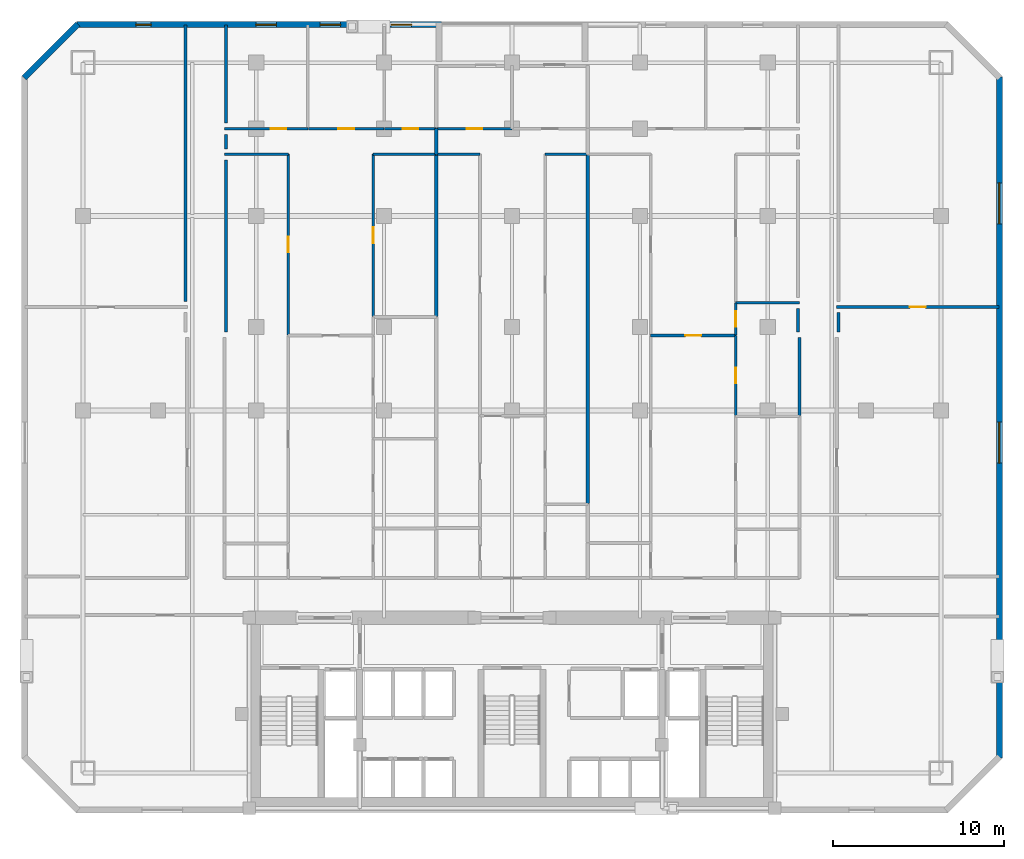
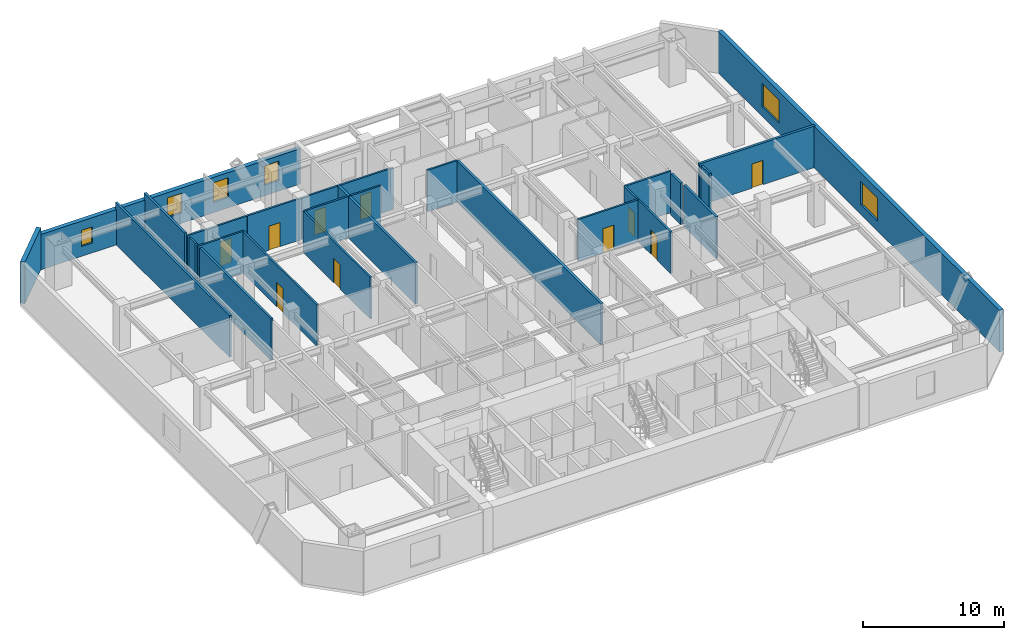
# One storey, part 6 of 9: 28 walls, 10 doors, 6 windows, 16 openings.
"""IFC4 building model written with IfcOpenShell, lengths in metres."""

import ifcopenshell
import ifcopenshell.guid

model = None  # the IFC model being written
_history = None  # IfcOwnerHistory: only IFC2X3 demands one
_inside = {}  # id of a spatial element -> (the spatial element, [elements in it])
_under = {}  # id of a project, library or spatial element -> (it, [spatial elements below it])
_declared = {}  # id of a project -> (the project, [libraries it declares])
_typed = {}  # id of a type object -> (the type object, [elements of that type])
_made_of = {}  # id of a material, layer set ... -> (it, [elements and type objects made of it])


def new_model(schema):
    """Start an empty IFC model of exactly this schema.

    Asked for "IFC4X3", IfcOpenShell would pick the latest addendum, in which some entities
    have other attributes; the version numbers below select the first issue.
    IFC2X3 requires an IfcOwnerHistory on every rooted entity: one is made here for all.
    """
    global model, _history
    if schema == "IFC4X3":
        model = ifcopenshell.file(schema_version=(4, 3, 0, 0))
    else:
        model = ifcopenshell.file(schema=schema)
    _inside.clear()
    _under.clear()
    _declared.clear()
    _typed.clear()
    _made_of.clear()
    _history = None
    if model.schema == "IFC2X3":
        org = make("IfcOrganization", Name="unknown")
        user = make(
            "IfcPersonAndOrganization",
            ThePerson=make("IfcPerson", FamilyName="unknown"),
            TheOrganization=org,
        )
        app = make(
            "IfcApplication",
            ApplicationDeveloper=org,
            Version="unknown",
            ApplicationFullName="unknown",
            ApplicationIdentifier="unknown",
        )
        _history = make(
            "IfcOwnerHistory",
            OwningUser=user,
            OwningApplication=app,
            ChangeAction="ADDED",
            CreationDate=0,
        )
    return model


def make(cls, **values):
    """One entity of the class cls with the attributes given. An attribute that is None is left unset."""
    return model.create_entity(
        cls, **{name: value for name, value in values.items() if value is not None}
    )


def rooted(cls, **values):
    """An entity with a GlobalId (a new one), such as an element, a storey or a relation."""
    return make(cls, GlobalId=ifcopenshell.guid.new(), OwnerHistory=_history, **values)


def si_unit(unit_type, name, prefix=None):
    """IfcSIUnit, for example si_unit("LENGTHUNIT", "METRE", prefix="MILLI")."""
    return make("IfcSIUnit", UnitType=unit_type, Prefix=prefix, Name=name)


def assignment(units):
    """IfcUnitAssignment: the units of a project."""
    return None if units is None else make("IfcUnitAssignment", Units=units)


def point(xyz):
    """IfcCartesianPoint."""
    return None if xyz is None else make("IfcCartesianPoint", Coordinates=xyz)


def direction(xyz):
    """IfcDirection."""
    return None if xyz is None else make("IfcDirection", DirectionRatios=xyz)


def frame(location, z_axis=None, x_axis=None):
    """IfcAxis2Placement3D, a coordinate frame: its origin and axes. An axis left out is left unset."""
    return make(
        "IfcAxis2Placement3D",
        Location=point(location),
        Axis=direction(z_axis),
        RefDirection=direction(x_axis),
    )


def frame_2d(location, x_axis=None):
    """IfcAxis2Placement2D, a coordinate frame in the plane: its origin and x axis."""
    return make(
        "IfcAxis2Placement2D", Location=point(location), RefDirection=direction(x_axis)
    )


def origin():
    """The frame at (0, 0, 0) with its axes left unset."""
    return frame((0.0, 0.0, 0.0))


def place(relative_to, where):
    """IfcLocalPlacement: puts the frame where relative to a parent placement (None: the world)."""
    return make(
        "IfcLocalPlacement", PlacementRelTo=relative_to, RelativePlacement=where
    )


def context(
    kind, dimensions, precision=None, world=None, true_north=None, identifier=None
):
    """IfcGeometricRepresentationContext, for example the 3D "Model" context."""
    return make(
        "IfcGeometricRepresentationContext",
        ContextIdentifier=identifier,
        ContextType=kind,
        CoordinateSpaceDimension=dimensions,
        Precision=precision,
        WorldCoordinateSystem=world,
        TrueNorth=true_north,
    )


def subcontext(parent, identifier, kind, view, scale=None):
    """IfcGeometricRepresentationSubContext, for example "Body" below "Model"."""
    return make(
        "IfcGeometricRepresentationSubContext",
        ContextIdentifier=identifier,
        ContextType=kind,
        ParentContext=parent,
        TargetScale=scale,
        TargetView=view,
    )


def project(units=None, contexts=None):
    """IfcProject with its units and contexts."""
    return rooted(
        "IfcProject",
        Name="project",
        RepresentationContexts=contexts,
        UnitsInContext=assignment(units),
    )


def spatial(cls, under=None, at=None, **own):
    """A site, building, storey or space (cls), placed at a placement, below another one or the project."""
    s = rooted(cls, ObjectPlacement=at, **own)
    if under is not None:
        _under.setdefault(under.id(), (under, []))[1].append(s)
    return s


def profile(cls, at=None, kind="AREA", **sizes):
    """A parametric profile (cls). Its sizes go by their IFC names, for example OverallWidth=200.0."""
    return make(cls, ProfileType=kind, Position=at, **sizes)


def rectangle(**sizes):
    """IfcRectangleProfileDef."""
    return profile("IfcRectangleProfileDef", **sizes)


def extrude(swept, where, along, depth):
    """IfcExtrudedAreaSolid: the profile swept, set in the frame where, extruded along a direction by depth."""
    return make(
        "IfcExtrudedAreaSolid",
        SweptArea=swept,
        Position=where,
        ExtrudedDirection=direction(along),
        Depth=depth,
    )


def shape(context_of_items, identifier, shape_type, items):
    """IfcShapeRepresentation: the items that make up one representation, for example the "Body"."""
    return make(
        "IfcShapeRepresentation",
        ContextOfItems=context_of_items,
        RepresentationIdentifier=identifier,
        RepresentationType=shape_type,
        Items=items,
    )


def material(Name=None, Category=None):
    """IfcMaterial."""
    return make("IfcMaterial", Name=Name, Category=Category)


def layer(
    of_material, thickness, ventilated=None, Name=None, Category=None, Priority=None
):
    """IfcMaterialLayer: one layer of a wall or slab, of a material (None: an air gap)."""
    return make(
        "IfcMaterialLayer",
        Material=of_material,
        LayerThickness=thickness,
        IsVentilated=ventilated,
        Name=Name,
        Category=Category,
        Priority=Priority,
    )


def layer_set(layers, Name=None):
    """IfcMaterialLayerSet."""
    return make("IfcMaterialLayerSet", MaterialLayers=layers, LayerSetName=Name)


def made_of(thing, what):
    """Note that an element or type object is made of a material, layer set ...; save() writes the relation."""
    if what is not None:
        _made_of.setdefault(what.id(), (what, []))[1].append(thing)
    return thing


def type_object(cls, material=None, **own):
    """A type object (cls), such as IfcWallType, which elements share."""
    return made_of(rooted(cls, **own), material)


def element(
    cls,
    number,
    at=None,
    inside=None,
    cuts=None,
    type_object=None,
    material=None,
    context=None,
    identifier="Body",
    shape_type=None,
    held_by="IfcProductDefinitionShape",
    body=None,
    shapes=None,
    **own,
):
    """One element of the class cls, such as IfcWall. Its Tag is "e" and its number.

    at: its placement. inside: the storey or other place that contains it. cuts: it is an
    opening in that element (IfcRelVoidsElement). A single representation is given by context,
    identifier, shape_type and body (its items); several are given by shapes. held_by: the class
    of the entity that holds the representations. save() writes the other relations.
    """
    e = rooted(cls, Tag="e%d" % number, ObjectPlacement=at, **own)
    if body is not None:
        shapes = [shape(context, identifier, shape_type, body)]
    if shapes is not None:
        e.Representation = make(held_by, Representations=shapes)
    if inside is not None:
        _inside.setdefault(inside.id(), (inside, []))[1].append(e)
    if cuts is not None:
        rooted(
            "IfcRelVoidsElement", RelatingBuildingElement=cuts, RelatedOpeningElement=e
        )
    if type_object is not None:
        _typed.setdefault(type_object.id(), (type_object, []))[1].append(e)
    return made_of(e, material)


def fill(opening, filler):
    """IfcRelFillsElement: the door or window that sits in an opening."""
    return rooted(
        "IfcRelFillsElement",
        RelatingOpeningElement=opening,
        RelatedBuildingElement=filler,
    )


def aggregate(whole, parts):
    """IfcRelAggregates: a whole, such as a stair, and the parts it consists of."""
    return rooted("IfcRelAggregates", RelatingObject=whole, RelatedObjects=parts)


def save(model, path):
    """Write the relations noted so far, then the file.

    IfcRelAggregates (storeys below a building ...), IfcRelContainedInSpatialStructure (elements
    in a storey), IfcRelDefinesByType, IfcRelAssociatesMaterial and IfcRelDeclares: one each for
    every whole, place, type object, material and project.
    """
    for whole, parts in _under.values():
        aggregate(whole, parts)
    for where, things in _inside.values():
        rooted(
            "IfcRelContainedInSpatialStructure",
            RelatedElements=things,
            RelatingStructure=where,
        )
    for kind, things in _typed.values():
        rooted("IfcRelDefinesByType", RelatedObjects=things, RelatingType=kind)
    for what, things in _made_of.values():
        rooted("IfcRelAssociatesMaterial", RelatedObjects=things, RelatingMaterial=what)
    for by, libraries in _declared.values():
        rooted("IfcRelDeclares", RelatingContext=by, RelatedDefinitions=libraries)
    model.write(path)


model = new_model("IFC4")

# Units and contexts
model_context = context("Model", 3, precision=1e-05, world=origin(), true_north=direction((0.0, 1.0)))
body_context = subcontext(model_context, "Body", "Model", "MODEL_VIEW")
ifc_project = project(units=[si_unit("LENGTHUNIT", "METRE"), si_unit("AREAUNIT", "SQUARE_METRE"), si_unit("VOLUMEUNIT", "CUBIC_METRE"), si_unit("PLANEANGLEUNIT", "RADIAN"), si_unit("MASSUNIT", "GRAM", prefix="KILO")], contexts=[model_context])

# Site, building, storey
site_placement = place(None, origin())
site = spatial("IfcSite", under=ifc_project, at=site_placement, CompositionType="ELEMENT")
building_placement = place(site_placement, origin())
building = spatial("IfcBuilding", under=site, at=building_placement, Name="Ventersveld Concourse Tower", CompositionType="ELEMENT")
storey_placement = place(building_placement, frame((0.0, 0.0, 45.199951171875)))
storey = spatial("IfcBuildingStorey", under=building, at=storey_placement, Name="L10", CompositionType="ELEMENT", Elevation=45.199951171875)

# Walls
ifc_material_1 = material(Name="Fire-rated autoclaved aerated masonry blockwork", Category="masonry")
ifc_layer_1 = layer(ifc_material_1, 0.179931640625)
ifc_layer_set_1 = layer_set([ifc_layer_1], Name="Fire-rated autoclaved aerated masonry blockwork")
wall_type_1 = type_object("IfcWallType", Name="WL-CORR-180", PredefinedType="PARTITIONING", material=ifc_layer_set_1)
wall_1_placement = place(storey_placement, frame((45.610107421875, 23.310302734375, 0.0), z_axis=(0.0, 0.0, 1.0), x_axis=(0.0, 1.0, 0.0)))
element("IfcWall", 1, at=wall_1_placement, inside=storey, type_object=wall_type_1, Name="L10 Interior Partition SP-L10-COR-SP-L10-10CE-DENS", PredefinedType="PARTITIONING", context=body_context, shape_type="SweptSolid", body=[
    extrude(rectangle(XDim=4.584716796875, YDim=0.179931640625, at=frame_2d((2.29248046875, 0.0))), origin(), (0.0, 0.0, 1.0), 3.60009765625),
])
wall_2_placement = place(storey_placement, frame((9.6201171875, 46.18994140625, 0.0), z_axis=(0.0, 0.0, 1.0), x_axis=(0.0, -1.0, 0.0)))
element("IfcWall", 2, at=wall_2_placement, inside=storey, type_object=wall_type_1, Name="L10 Room Enclosure Wall SP-L10-NWLNG2", PredefinedType="PARTITIONING", context=body_context, shape_type="SweptSolid", body=[
    extrude(rectangle(XDim=16.19482421875, YDim=0.179931640625, at=frame_2d((8.097412109375, 0.0))), origin(), (0.0, 0.0, 1.0), 3.60009765625),
])
wall_3_placement = place(storey_placement, frame((47.8798828125, 28.2099609375, 0.0), z_axis=(0.0, 0.0, 1.0), x_axis=(0.0, 1.0, 0.0)))
element("IfcWall", 3, at=wall_3_placement, inside=storey, type_object=wall_type_1, Name="L10 Room Enclosure Wall SP-L10-NELNG1", PredefinedType="PARTITIONING", context=body_context, shape_type="SweptSolid", body=[
    extrude(rectangle(XDim=1.135009765625, YDim=0.179931640625, at=frame_2d((0.5673828125, 0.0))), origin(), (0.0, 0.0, 1.0), 3.60009765625),
])
wall_4_placement = place(storey_placement, frame((11.97998046875, 38.945068359375, 0.0), z_axis=(0.0, 0.0, 1.0), x_axis=(0.0, 1.0, 0.0)))
element("IfcWall", 4, at=wall_4_placement, inside=storey, type_object=wall_type_1, Name="L10 Room Enclosure Wall SP-L10-10CW-LIV", PredefinedType="PARTITIONING", context=body_context, shape_type="SweptSolid", body=[
    extrude(rectangle(XDim=0.849853515625, YDim=0.179931640625, at=frame_2d((0.4248046875, 0.0))), origin(), (0.0, 0.0, 1.0), 3.60009765625),
])
wall_5_placement = place(storey_placement, frame((11.97998046875, 28.2099609375, 0.0), z_axis=(0.0, 0.0, 1.0), x_axis=(0.0, 1.0, 0.0)))
element("IfcWall", 5, at=wall_5_placement, inside=storey, type_object=wall_type_1, Name="L10 Room Enclosure Wall SP-L10-10CW-OFFL0", PredefinedType="PARTITIONING", context=body_context, shape_type="SweptSolid", body=[
    extrude(rectangle(XDim=10.0849609375, YDim=0.179931640625, at=frame_2d((5.04248046875, 0.0))), origin(), (0.0, 0.0, 1.0), 3.60009765625),
])
wall_6_placement = place(storey_placement, frame((11.97998046875, 40.445068359375, 0.0), z_axis=(0.0, 0.0, 1.0), x_axis=(0.0, 1.0, 0.0)))
element("IfcWall", 6, at=wall_6_placement, inside=storey, type_object=wall_type_1, Name="L10 Room Enclosure Wall SP-L10-10CW-BR1", PredefinedType="PARTITIONING", context=body_context, shape_type="SweptSolid", body=[
    extrude(rectangle(XDim=5.744873046875, YDim=0.179931640625, at=frame_2d((2.87255859375, 0.0))), origin(), (0.0, 0.0, 1.0), 3.60009765625),
])
wall_7_placement = place(storey_placement, frame((45.52001953125, 29.583251953125, 0.0), z_axis=(0.0, 0.0, 1.0), x_axis=(0.0, -1.0, 0.0)))
element("IfcWall", 7, at=wall_7_placement, inside=storey, type_object=wall_type_1, Name="L10 Room Enclosure Wall SP-L10-10CE-DENS", PredefinedType="PARTITIONING", context=body_context, shape_type="SweptSolid", body=[
    extrude(rectangle(XDim=1.373291015625, YDim=0.179931640625, at=frame_2d((0.6865234375, 0.0))), origin(), (0.0, 0.0, 1.0), 3.60009765625),
])

# Wall, opening, door
ifc_layer_2 = layer(ifc_material_1, 0.199951171875)
ifc_layer_set_2 = layer_set([ifc_layer_2], Name="Fire-rated autoclaved aerated masonry blockwork")
wall_type_2 = type_object("IfcWallType", Name="WL-DEMISE-200", PredefinedType="PARTITIONING", material=ifc_layer_set_2)
wall_8_placement = place(storey_placement, frame((47.784912109375, 29.669921875, 0.0), z_axis=(0.0, 0.0, 1.0), x_axis=(1.0, 0.0, 0.0)))
wall_8 = element("IfcWall", 8, at=wall_8_placement, inside=storey, type_object=wall_type_2, Name="L10 Interior Partition SP-L10-NELNG1-SP-L10-NELNG2", PredefinedType="PARTITIONING", context=body_context, shape_type="SweptSolid", body=[
    extrude(rectangle(XDim=9.505126953125, YDim=0.199951171875, at=frame_2d((4.75244140625, 0.0))), origin(), (0.0, 0.0, 1.0), 3.60009765625),
])
opening_1_placement = place(wall_8_placement, frame((4.29248046875, 0.0, 0.0)))
opening_1 = element("IfcOpeningElement", 9, at=opening_1_placement, cuts=wall_8, Name="Opening ID1", PredefinedType="OPENING", context=body_context, shape_type="SweptSolid", body=[
    extrude(rectangle(XDim=0.919921875, YDim=2.10009765625, at=frame_2d((0.4599609375, 1.050048828125))), frame((0.0, 0.10986328125, 0.0), z_axis=(0.0, -1.0, 0.0), x_axis=(1.0, 0.0, 0.0)), (0.0, 0.0, 1.0), 0.219970703125),
])
ifc_material_2 = material(Name="Solid-core hardwood veneer timber", Category="wood")
door_type = type_object("IfcDoorType", Name="DR-ROOM-092", OperationType="NOTDEFINED", PredefinedType="DOOR", material=ifc_material_2)
door_1_placement = place(opening_1_placement, origin())
door_1 = element("IfcDoor", 10, at=door_1_placement, inside=storey, type_object=door_type, Name="L10 Interior Door SP-L10-NELNG1 to SP-L10-NELNG2 (D-L10-0379)", OperationType="SINGLE_SWING_LEFT", OverallHeight=2.10009765625, OverallWidth=0.919921875, PredefinedType="DOOR", context=body_context, shape_type="SweptSolid", body=[
    extrude(rectangle(XDim=0.919921875, YDim=2.10009765625, at=frame_2d((0.4599609375, 1.050048828125))), frame((0.0, 0.02490234375, 0.0), z_axis=(0.0, -1.0, 0.0), x_axis=(1.0, 0.0, 0.0)), (0.0, 0.0, 1.0), 0.050048828125),
])
fill(opening_1, door_1)

# Walls
wall_9_placement = place(storey_placement, frame((24.31005859375, 38.614990234375, 0.0), z_axis=(0.0, 0.0, 1.0), x_axis=(0.0, 1.0, 0.0)))
element("IfcWall", 11, at=wall_9_placement, inside=storey, type_object=wall_type_2, Name="L10 Interior Partition SP-L10-10CW-LIV-SP-L10-10CM-LIV", PredefinedType="PARTITIONING", context=body_context, shape_type="SweptSolid", body=[
    extrude(rectangle(XDim=1.510009765625, YDim=0.199951171875, at=frame_2d((0.7548828125, 0.0))), origin(), (0.0, 0.0, 1.0), 3.60009765625),
])
wall_10_placement = place(storey_placement, frame((24.31005859375, 29.118408203125, 0.0), z_axis=(0.0, 0.0, 1.0), x_axis=(0.0, 1.0, 0.0)))
element("IfcWall", 12, at=wall_10_placement, inside=storey, type_object=wall_type_2, Name="L10 Interior Partition SP-L10-10CW-DENS2-SP-L10-10CM-MEDL0", PredefinedType="PARTITIONING", context=body_context, shape_type="SweptSolid", body=[
    extrude(rectangle(XDim=9.466552734375, YDim=0.199951171875, at=frame_2d((4.7333984375, 0.0))), origin(), (0.0, 0.0, 1.0), 3.60009765625),
])
wall_11_placement = place(storey_placement, frame((33.18994140625, 18.1357421875, 0.0), z_axis=(0.0, 0.0, 1.0), x_axis=(0.0, 1.0, 0.0)))
element("IfcWall", 13, at=wall_11_placement, inside=storey, type_object=wall_type_2, Name="L10 Interior Partition SP-L10-10CE-OFFL0-SP-L10-10CM-DENR", PredefinedType="PARTITIONING", context=body_context, shape_type="SweptSolid", body=[
    extrude(rectangle(XDim=20.44921875, YDim=0.199951171875, at=frame_2d((10.224609375, 0.0))), origin(), (0.0, 0.0, 1.0), 3.60009765625),
])

# Wall, opening, door
ifc_material_3 = material(Name="Autoclaved aerated masonry blockwork", Category="masonry")
ifc_layer_3 = layer(ifc_material_3, 0.14990234375)
ifc_layer_set_3 = layer_set([ifc_layer_3], Name="Autoclaved aerated masonry blockwork")
wall_type_3 = type_object("IfcWallType", Name="WL-INT-150", PredefinedType="PARTITIONING", material=ifc_layer_set_3)
wall_12_placement = place(storey_placement, frame((15.635498046875, 28.0341796875, 0.0), z_axis=(0.0, 0.0, 1.0), x_axis=(0.0, 1.0, 0.0)))
wall_12 = element("IfcWall", 14, at=wall_12_placement, inside=storey, type_object=wall_type_3, Name="L10 Interior Partition SP-L10-10CW-LIV-SP-L10-10CW-OFFL0", PredefinedType="PARTITIONING", context=body_context, shape_type="SweptSolid", body=[
    extrude(rectangle(XDim=10.5908203125, YDim=0.14990234375, at=frame_2d((5.29541015625, 0.0))), origin(), (0.0, 0.0, 1.0), 3.60009765625),
])
opening_2_placement = place(wall_12_placement, frame((4.835205078125, 0.0, 0.0)))
opening_2 = element("IfcOpeningElement", 15, at=opening_2_placement, cuts=wall_12, Name="Opening ID1", PredefinedType="OPENING", context=body_context, shape_type="SweptSolid", body=[
    extrude(rectangle(XDim=0.919921875, YDim=2.10009765625, at=frame_2d((0.4599609375, 1.050048828125))), frame((0.0, 0.0849609375, 0.0), z_axis=(0.0, -1.0, 0.0), x_axis=(1.0, 0.0, 0.0)), (0.0, 0.0, 1.0), 0.169921875),
])
door_2_placement = place(opening_2_placement, origin())
door_2 = element("IfcDoor", 16, at=door_2_placement, inside=storey, type_object=door_type, Name="L10 Interior Door SP-L10-10CW-LIV to SP-L10-10CW-OFFL0 (D-L10-0386)", OperationType="SINGLE_SWING_RIGHT", OverallHeight=2.10009765625, OverallWidth=0.919921875, PredefinedType="DOOR", context=body_context, shape_type="SweptSolid", body=[
    extrude(rectangle(XDim=0.919921875, YDim=2.10009765625, at=frame_2d((0.4599609375, 1.050048828125))), frame((0.0, 0.02490234375, 0.0), z_axis=(0.0, -1.0, 0.0), x_axis=(1.0, 0.0, 0.0)), (0.0, 0.0, 1.0), 0.050048828125),
])
fill(opening_2, door_2)

# Wall
wall_13_placement = place(storey_placement, frame((11.885009765625, 38.6201171875, 0.0), z_axis=(0.0, 0.0, 1.0), x_axis=(1.0, 0.0, 0.0)))
element("IfcWall", 17, at=wall_13_placement, inside=storey, type_object=wall_type_3, Name="L10 Interior Partition SP-L10-10CW-LIV-SP-L10-10CW-OFFL0", PredefinedType="PARTITIONING", context=body_context, shape_type="SweptSolid", body=[
    extrude(rectangle(XDim=3.75537109375, YDim=0.14990234375, at=frame_2d((1.877685546875, 0.0))), origin(), (0.0, 0.0, 1.0), 3.60009765625),
])

# Wall, opening, door
wall_14_placement = place(storey_placement, frame((20.615478515625, 29.118408203125, 0.0), z_axis=(0.0, 0.0, 1.0), x_axis=(0.0, 1.0, 0.0)))
wall_14 = element("IfcWall", 18, at=wall_14_placement, inside=storey, type_object=wall_type_3, Name="L10 Interior Partition SP-L10-10CW-LIV-SP-L10-10CW-DENS2", PredefinedType="PARTITIONING", context=body_context, shape_type="SweptSolid", body=[
    extrude(rectangle(XDim=9.506591796875, YDim=0.14990234375, at=frame_2d((4.75341796875, 0.0))), origin(), (0.0, 0.0, 1.0), 3.60009765625),
])
opening_3_placement = place(wall_14_placement, frame((4.293212890625, 0.0, 0.0)))
opening_3 = element("IfcOpeningElement", 19, at=opening_3_placement, cuts=wall_14, Name="Opening ID1", PredefinedType="OPENING", context=body_context, shape_type="SweptSolid", body=[
    extrude(rectangle(XDim=0.919921875, YDim=2.10009765625, at=frame_2d((0.4599609375, 1.050048828125))), frame((0.0, 0.0849609375, 0.0), z_axis=(0.0, -1.0, 0.0), x_axis=(1.0, 0.0, 0.0)), (0.0, 0.0, 1.0), 0.169921875),
])
door_3_placement = place(opening_3_placement, origin())
door_3 = element("IfcDoor", 20, at=door_3_placement, inside=storey, type_object=door_type, Name="L10 Interior Door SP-L10-10CW-LIV to SP-L10-10CW-DENS2 (D-L10-0387)", OperationType="SINGLE_SWING_LEFT", OverallHeight=2.10009765625, OverallWidth=0.919921875, PredefinedType="DOOR", context=body_context, shape_type="SweptSolid", body=[
    extrude(rectangle(XDim=0.919921875, YDim=2.10009765625, at=frame_2d((0.4599609375, 1.050048828125))), frame((0.0, 0.02490234375, 0.0), z_axis=(0.0, -1.0, 0.0), x_axis=(1.0, 0.0, 0.0)), (0.0, 0.0, 1.0), 0.050048828125),
])
fill(opening_3, door_3)

# Wall
wall_15_placement = place(storey_placement, frame((20.610595703125, 38.6201171875, 0.0), z_axis=(0.0, 0.0, 1.0), x_axis=(1.0, 0.0, 0.0)))
element("IfcWall", 21, at=wall_15_placement, inside=storey, type_object=wall_type_3, Name="L10 Interior Partition SP-L10-10CW-LIV-SP-L10-10CW-DENS2", PredefinedType="PARTITIONING", context=body_context, shape_type="SweptSolid", body=[
    extrude(rectangle(XDim=3.704345703125, YDim=0.14990234375, at=frame_2d((1.85205078125, 0.0))), origin(), (0.0, 0.0, 1.0), 3.60009765625),
])

# Wall, opening, door
wall_16_placement = place(storey_placement, frame((11.885009765625, 40.1201171875, 0.0), z_axis=(0.0, 0.0, 1.0), x_axis=(1.0, 0.0, 0.0)))
wall_16 = element("IfcWall", 22, at=wall_16_placement, inside=storey, type_object=wall_type_3, Name="L10 Interior Partition SP-L10-10CW-LIV-SP-L10-10CW-BR1", PredefinedType="PARTITIONING", context=body_context, shape_type="SweptSolid", body=[
    extrude(rectangle(XDim=4.892578125, YDim=0.14990234375, at=frame_2d((2.4462890625, 0.0))), origin(), (0.0, 0.0, 1.0), 3.60009765625),
])
opening_4_placement = place(wall_16_placement, frame((2.72021484375, 0.0, 0.0)))
opening_4 = element("IfcOpeningElement", 23, at=opening_4_placement, cuts=wall_16, Name="Opening ID1", PredefinedType="OPENING", context=body_context, shape_type="SweptSolid", body=[
    extrude(rectangle(XDim=0.919921875, YDim=2.10009765625, at=frame_2d((0.4599609375, 1.050048828125))), frame((0.0, 0.0849609375, 0.0), z_axis=(0.0, -1.0, 0.0), x_axis=(1.0, 0.0, 0.0)), (0.0, 0.0, 1.0), 0.169921875),
])
door_4_placement = place(opening_4_placement, origin())
door_4 = element("IfcDoor", 24, at=door_4_placement, inside=storey, type_object=door_type, Name="L10 Interior Door SP-L10-10CW-LIV to SP-L10-10CW-BR1 (D-L10-0388)", OperationType="SINGLE_SWING_RIGHT", OverallHeight=2.10009765625, OverallWidth=0.919921875, PredefinedType="DOOR", context=body_context, shape_type="SweptSolid", body=[
    extrude(rectangle(XDim=0.919921875, YDim=2.10009765625, at=frame_2d((0.4599609375, 1.050048828125))), frame((0.0, 0.02490234375, 0.0), z_axis=(0.0, -1.0, 0.0), x_axis=(1.0, 0.0, 0.0)), (0.0, 0.0, 1.0), 0.050048828125),
])
fill(opening_4, door_4)

wall_17_placement = place(storey_placement, frame((16.8076171875, 40.1201171875, 0.0), z_axis=(0.0, 0.0, 1.0), x_axis=(1.0, 0.0, 0.0)))
wall_17 = element("IfcWall", 25, at=wall_17_placement, inside=storey, type_object=wall_type_3, Name="L10 Interior Partition SP-L10-10CW-LIV-SP-L10-10CW-BR2", PredefinedType="PARTITIONING", context=body_context, shape_type="SweptSolid", body=[
    extrude(rectangle(XDim=4.447265625, YDim=0.14990234375, at=frame_2d((2.2236328125, 0.0))), origin(), (0.0, 0.0, 1.0), 3.60009765625),
])
opening_5_placement = place(wall_17_placement, frame((1.763671875, 0.0, 0.0)))
opening_5 = element("IfcOpeningElement", 26, at=opening_5_placement, cuts=wall_17, Name="Opening ID1", PredefinedType="OPENING", context=body_context, shape_type="SweptSolid", body=[
    extrude(rectangle(XDim=0.919921875, YDim=2.10009765625, at=frame_2d((0.4599609375, 1.050048828125))), frame((0.0, 0.0849609375, 0.0), z_axis=(0.0, -1.0, 0.0), x_axis=(1.0, 0.0, 0.0)), (0.0, 0.0, 1.0), 0.169921875),
])
door_5_placement = place(opening_5_placement, origin())
door_5 = element("IfcDoor", 27, at=door_5_placement, inside=storey, type_object=door_type, Name="L10 Interior Door SP-L10-10CW-LIV to SP-L10-10CW-BR2 (D-L10-0389)", OperationType="SINGLE_SWING_LEFT", OverallHeight=2.10009765625, OverallWidth=0.919921875, PredefinedType="DOOR", context=body_context, shape_type="SweptSolid", body=[
    extrude(rectangle(XDim=0.919921875, YDim=2.10009765625, at=frame_2d((0.4599609375, 1.050048828125))), frame((0.0, 0.02490234375, 0.0), z_axis=(0.0, -1.0, 0.0), x_axis=(1.0, 0.0, 0.0)), (0.0, 0.0, 1.0), 0.050048828125),
])
fill(opening_5, door_5)

wall_18_placement = place(storey_placement, frame((21.284912109375, 40.1201171875, 0.0), z_axis=(0.0, 0.0, 1.0), x_axis=(1.0, 0.0, 0.0)))
wall_18 = element("IfcWall", 28, at=wall_18_placement, inside=storey, type_object=wall_type_3, Name="L10 Interior Partition SP-L10-10CW-LIV-SP-L10-10CW-BR3", PredefinedType="PARTITIONING", context=body_context, shape_type="SweptSolid", body=[
    extrude(rectangle(XDim=3.030029296875, YDim=0.14990234375, at=frame_2d((1.51513671875, 0.0))), origin(), (0.0, 0.0, 1.0), 3.60009765625),
])
opening_6_placement = place(wall_18_placement, frame((1.054931640625, 0.0, 0.0)))
opening_6 = element("IfcOpeningElement", 29, at=opening_6_placement, cuts=wall_18, Name="Opening ID1", PredefinedType="OPENING", context=body_context, shape_type="SweptSolid", body=[
    extrude(rectangle(XDim=0.919921875, YDim=2.10009765625, at=frame_2d((0.4599609375, 1.050048828125))), frame((0.0, 0.0849609375, 0.0), z_axis=(0.0, -1.0, 0.0), x_axis=(1.0, 0.0, 0.0)), (0.0, 0.0, 1.0), 0.169921875),
])
door_6_placement = place(opening_6_placement, origin())
door_6 = element("IfcDoor", 30, at=door_6_placement, inside=storey, type_object=door_type, Name="L10 Interior Door SP-L10-10CW-LIV to SP-L10-10CW-BR3 (D-L10-0390)", OperationType="SINGLE_SWING_RIGHT", OverallHeight=2.10009765625, OverallWidth=0.919921875, PredefinedType="DOOR", context=body_context, shape_type="SweptSolid", body=[
    extrude(rectangle(XDim=0.919921875, YDim=2.10009765625, at=frame_2d((0.4599609375, 1.050048828125))), frame((0.0, 0.02490234375, 0.0), z_axis=(0.0, -1.0, 0.0), x_axis=(1.0, 0.0, 0.0)), (0.0, 0.0, 1.0), 0.050048828125),
])
fill(opening_6, door_6)

wall_19_placement = place(storey_placement, frame((36.87939453125, 27.999267578125, 0.0), z_axis=(0.0, 0.0, 1.0), x_axis=(1.0, 0.0, 0.0)))
wall_19 = element("IfcWall", 31, at=wall_19_placement, inside=storey, type_object=wall_type_3, Name="L10 Interior Partition SP-L10-10CE-FOY-SP-L10-10CE-LIV", PredefinedType="PARTITIONING", context=body_context, shape_type="SweptSolid", body=[
    extrude(rectangle(XDim=4.989990234375, YDim=0.14990234375, at=frame_2d((2.4951171875, 0.0))), origin(), (0.0, 0.0, 1.0), 3.60009765625),
])
opening_7_placement = place(wall_19_placement, frame((2.034912109375, 0.0, 0.0)))
opening_7 = element("IfcOpeningElement", 32, at=opening_7_placement, cuts=wall_19, Name="Opening ID1", PredefinedType="OPENING", context=body_context, shape_type="SweptSolid", body=[
    extrude(rectangle(XDim=0.919921875, YDim=2.10009765625, at=frame_2d((0.4599609375, 1.050048828125))), frame((0.0, 0.0849609375, 0.0), z_axis=(0.0, -1.0, 0.0), x_axis=(1.0, 0.0, 0.0)), (0.0, 0.0, 1.0), 0.169921875),
])
door_7_placement = place(opening_7_placement, origin())
door_7 = element("IfcDoor", 33, at=door_7_placement, inside=storey, type_object=door_type, Name="L10 Interior Door SP-L10-10CE-FOY to SP-L10-10CE-LIV (D-L10-0391)", OperationType="SINGLE_SWING_LEFT", OverallHeight=2.10009765625, OverallWidth=0.919921875, PredefinedType="DOOR", context=body_context, shape_type="SweptSolid", body=[
    extrude(rectangle(XDim=0.919921875, YDim=2.10009765625, at=frame_2d((0.4599609375, 1.050048828125))), frame((0.0, 0.02490234375, 0.0), z_axis=(0.0, -1.0, 0.0), x_axis=(1.0, 0.0, 0.0)), (0.0, 0.0, 1.0), 0.050048828125),
])
fill(opening_7, door_7)

wall_20_placement = place(storey_placement, frame((41.864501953125, 23.310302734375, 0.0), z_axis=(0.0, 0.0, 1.0), x_axis=(0.0, 1.0, 0.0)))
wall_20 = element("IfcWall", 34, at=wall_20_placement, inside=storey, type_object=wall_type_3, Name="L10 Interior Partition SP-L10-10CE-FOY-SP-L10-10CE-DENS", PredefinedType="PARTITIONING", context=body_context, shape_type="SweptSolid", body=[
    extrude(rectangle(XDim=4.694091796875, YDim=0.14990234375, at=frame_2d((2.34716796875, 0.0))), origin(), (0.0, 0.0, 1.0), 3.60009765625),
])
opening_8_placement = place(wall_20_placement, frame((1.886962890625, 0.0, 0.0)))
opening_8 = element("IfcOpeningElement", 35, at=opening_8_placement, cuts=wall_20, Name="Opening ID1", PredefinedType="OPENING", context=body_context, shape_type="SweptSolid", body=[
    extrude(rectangle(XDim=0.919921875, YDim=2.10009765625, at=frame_2d((0.4599609375, 1.050048828125))), frame((0.0, 0.0849609375, 0.0), z_axis=(0.0, -1.0, 0.0), x_axis=(1.0, 0.0, 0.0)), (0.0, 0.0, 1.0), 0.169921875),
])
door_8_placement = place(opening_8_placement, origin())
door_8 = element("IfcDoor", 36, at=door_8_placement, inside=storey, type_object=door_type, Name="L10 Interior Door SP-L10-10CE-FOY to SP-L10-10CE-DENS (D-L10-0396)", OperationType="SINGLE_SWING_RIGHT", OverallHeight=2.10009765625, OverallWidth=0.919921875, PredefinedType="DOOR", context=body_context, shape_type="SweptSolid", body=[
    extrude(rectangle(XDim=0.919921875, YDim=2.10009765625, at=frame_2d((0.4599609375, 1.050048828125))), frame((0.0, 0.02490234375, 0.0), z_axis=(0.0, -1.0, 0.0), x_axis=(1.0, 0.0, 0.0)), (0.0, 0.0, 1.0), 0.050048828125),
])
fill(opening_8, door_8)

wall_21_placement = place(storey_placement, frame((41.864501953125, 28.0341796875, 0.0), z_axis=(0.0, 0.0, 1.0), x_axis=(0.0, 1.0, 0.0)))
wall_21 = element("IfcWall", 37, at=wall_21_placement, inside=storey, type_object=wall_type_3, Name="L10 Interior Partition SP-L10-10CE-LIV-SP-L10-10CE-DENS", PredefinedType="PARTITIONING", context=body_context, shape_type="SweptSolid", body=[
    extrude(rectangle(XDim=1.879150390625, YDim=0.14990234375, at=frame_2d((0.939453125, 0.0))), origin(), (0.0, 0.0, 1.0), 3.60009765625),
])
opening_9_placement = place(wall_21_placement, frame((0.4794921875, 0.0, 0.0)))
opening_9 = element("IfcOpeningElement", 38, at=opening_9_placement, cuts=wall_21, Name="Opening ID1", PredefinedType="OPENING", context=body_context, shape_type="SweptSolid", body=[
    extrude(rectangle(XDim=0.919921875, YDim=2.10009765625, at=frame_2d((0.4599609375, 1.050048828125))), frame((0.0, 0.0849609375, 0.0), z_axis=(0.0, -1.0, 0.0), x_axis=(1.0, 0.0, 0.0)), (0.0, 0.0, 1.0), 0.169921875),
])
door_9_placement = place(opening_9_placement, origin())
door_9 = element("IfcDoor", 39, at=door_9_placement, inside=storey, type_object=door_type, Name="L10 Interior Door SP-L10-10CE-LIV to SP-L10-10CE-DENS (D-L10-0398)", OperationType="SINGLE_SWING_RIGHT", OverallHeight=2.10009765625, OverallWidth=0.919921875, PredefinedType="DOOR", context=body_context, shape_type="SweptSolid", body=[
    extrude(rectangle(XDim=0.919921875, YDim=2.10009765625, at=frame_2d((0.4599609375, 1.050048828125))), frame((0.0, 0.02490234375, 0.0), z_axis=(0.0, -1.0, 0.0), x_axis=(1.0, 0.0, 0.0)), (0.0, 0.0, 1.0), 0.050048828125),
])
fill(opening_9, door_9)

# Walls
wall_22_placement = place(storey_placement, frame((41.859619140625, 29.908203125, 0.0), z_axis=(0.0, 0.0, 1.0), x_axis=(1.0, 0.0, 0.0)))
element("IfcWall", 40, at=wall_22_placement, inside=storey, type_object=wall_type_3, Name="L10 Interior Partition SP-L10-10CE-DENS-SP-L10-10CE-DENS2", PredefinedType="PARTITIONING", context=body_context, shape_type="SweptSolid", body=[
    extrude(rectangle(XDim=3.75537109375, YDim=0.14990234375, at=frame_2d((1.877685546875, 0.0))), origin(), (0.0, 0.0, 1.0), 3.60009765625),
])
wall_23_placement = place(storey_placement, frame((24.344970703125, 38.6201171875, 0.0), z_axis=(0.0, 0.0, 1.0), x_axis=(1.0, 0.0, 0.0)))
element("IfcWall", 41, at=wall_23_placement, inside=storey, type_object=wall_type_3, Name="L10 Interior Partition SP-L10-10CM-LIV-SP-L10-10CM-MEDL0", PredefinedType="PARTITIONING", context=body_context, shape_type="SweptSolid", body=[
    extrude(rectangle(XDim=2.53515625, YDim=0.14990234375, at=frame_2d((1.267578125, 0.0))), origin(), (0.0, 0.0, 1.0), 3.60009765625),
])
wall_24_placement = place(storey_placement, frame((30.692138671875, 38.6201171875, 0.0), z_axis=(0.0, 0.0, 1.0), x_axis=(1.0, 0.0, 0.0)))
element("IfcWall", 42, at=wall_24_placement, inside=storey, type_object=wall_type_3, Name="L10 Interior Partition SP-L10-10CM-LIV-SP-L10-10CM-DENR", PredefinedType="PARTITIONING", context=body_context, shape_type="SweptSolid", body=[
    extrude(rectangle(XDim=2.462890625, YDim=0.14990234375, at=frame_2d((1.2314453125, 0.0))), origin(), (0.0, 0.0, 1.0), 3.60009765625),
])

# Wall, opening, door
wall_25_placement = place(storey_placement, frame((24.344970703125, 40.1201171875, 0.0), z_axis=(0.0, 0.0, 1.0), x_axis=(1.0, 0.0, 0.0)))
wall_25 = element("IfcWall", 43, at=wall_25_placement, inside=storey, type_object=wall_type_3, Name="L10 Interior Partition SP-L10-10CM-LIV-SP-L10-10CM-BR1", PredefinedType="PARTITIONING", context=body_context, shape_type="SweptSolid", body=[
    extrude(rectangle(XDim=4.409912109375, YDim=0.14990234375, at=frame_2d((2.205078125, 0.0))), origin(), (0.0, 0.0, 1.0), 3.60009765625),
])
opening_10_placement = place(wall_25_placement, frame((1.7451171875, 0.0, 0.0)))
opening_10 = element("IfcOpeningElement", 44, at=opening_10_placement, cuts=wall_25, Name="Opening ID1", PredefinedType="OPENING", context=body_context, shape_type="SweptSolid", body=[
    extrude(rectangle(XDim=0.919921875, YDim=2.10009765625, at=frame_2d((0.4599609375, 1.050048828125))), frame((0.0, 0.0849609375, 0.0), z_axis=(0.0, -1.0, 0.0), x_axis=(1.0, 0.0, 0.0)), (0.0, 0.0, 1.0), 0.169921875),
])
door_10_placement = place(opening_10_placement, origin())
door_10 = element("IfcDoor", 45, at=door_10_placement, inside=storey, type_object=door_type, Name="L10 Interior Door SP-L10-10CM-LIV to SP-L10-10CM-BR1 (D-L10-0409)", OperationType="SINGLE_SWING_LEFT", OverallHeight=2.10009765625, OverallWidth=0.919921875, PredefinedType="DOOR", context=body_context, shape_type="SweptSolid", body=[
    extrude(rectangle(XDim=0.919921875, YDim=2.10009765625, at=frame_2d((0.4599609375, 1.050048828125))), frame((0.0, 0.02490234375, 0.0), z_axis=(0.0, -1.0, 0.0), x_axis=(1.0, 0.0, 0.0)), (0.0, 0.0, 1.0), 0.050048828125),
])
fill(opening_10, door_10)

# Wall, openings, windows
ifc_material_4 = material(Name="Precast concrete C45/55", Category="concrete")
ifc_layer_4 = layer(ifc_material_4, 0.35009765625)
ifc_layer_set_4 = layer_set([ifc_layer_4], Name="Precast concrete C45/55")
wall_type_4 = type_object("IfcWallType", Name="WL-PREC-350", PredefinedType="SOLIDWALL", material=ifc_layer_set_4)
wall_26_placement = place(storey_placement, frame((57.324951171875, 3.239990234375, 0.0), z_axis=(0.0, 0.0, 1.0), x_axis=(0.0, 1.0, 0.0)))
wall_26 = element("IfcWall", 46, at=wall_26_placement, inside=storey, type_object=wall_type_4, Name="L10 Highveld Precast Facade Wall E03", PredefinedType="SOLIDWALL", context=body_context, shape_type="SweptSolid", body=[
    extrude(rectangle(XDim=39.919921875, YDim=0.35009765625, at=frame_2d((19.9599609375, 0.0))), origin(), (0.0, 0.0, 1.0), 3.60009765625),
])
opening_11_placement = place(wall_26_placement, frame((17.280029296875, 0.0, 0.85009765625)))
opening_11 = element("IfcOpeningElement", 47, at=opening_11_placement, cuts=wall_26, Name="Opening W5", PredefinedType="OPENING", context=body_context, shape_type="SweptSolid", body=[
    extrude(rectangle(XDim=2.39990234375, YDim=2.0, at=frame_2d((1.199951171875, 1.0))), frame((0.0, 0.18505859375, 0.0), z_axis=(0.0, -1.0, 0.0), x_axis=(1.0, 0.0, 0.0)), (0.0, 0.0, 1.0), 0.3701171875),
])
opening_12_placement = place(wall_26_placement, frame((31.3076171875, 0.0, 0.85009765625)))
opening_12 = element("IfcOpeningElement", 48, at=opening_12_placement, cuts=wall_26, Name="Opening W5", PredefinedType="OPENING", context=body_context, shape_type="SweptSolid", body=[
    extrude(rectangle(XDim=2.39990234375, YDim=2.0, at=frame_2d((1.199951171875, 1.0))), frame((0.0, 0.18505859375, 0.0), z_axis=(0.0, -1.0, 0.0), x_axis=(1.0, 0.0, 0.0)), (0.0, 0.0, 1.0), 0.3701171875),
])
ifc_material_5 = material(Name="Tempered acoustic Low-E IGU", Category="glass")
window_type_1 = type_object("IfcWindowType", Name="WIN-240x210", PartitioningType="SINGLE_PANEL", PredefinedType="WINDOW", material=ifc_material_5)
window_1_placement = place(opening_11_placement, origin())
window_1 = element("IfcWindow", 49, at=window_1_placement, inside=storey, type_object=window_type_1, Name="L10 Punched Low-E Window W-0053", OverallHeight=2.0, OverallWidth=2.39990234375, PartitioningType="SINGLE_PANEL", PredefinedType="WINDOW", context=body_context, shape_type="SweptSolid", body=[
    extrude(rectangle(XDim=2.39990234375, YDim=2.0, at=frame_2d((1.199951171875, 1.0))), frame((0.0, 0.030029296875, 0.0), z_axis=(0.0, -1.0, 0.0), x_axis=(1.0, 0.0, 0.0)), (0.0, 0.0, 1.0), 0.06005859375),
])
fill(opening_11, window_1)
window_2_placement = place(opening_12_placement, origin())
window_2 = element("IfcWindow", 50, at=window_2_placement, inside=storey, type_object=window_type_1, Name="L10 Punched Low-E Window W-0054", OverallHeight=2.0, OverallWidth=2.39990234375, PartitioningType="SINGLE_PANEL", PredefinedType="WINDOW", context=body_context, shape_type="SweptSolid", body=[
    extrude(rectangle(XDim=2.39990234375, YDim=2.0, at=frame_2d((1.199951171875, 1.0))), frame((0.0, 0.030029296875, 0.0), z_axis=(0.0, -1.0, 0.0), x_axis=(1.0, 0.0, 0.0)), (0.0, 0.0, 1.0), 0.06005859375),
])
fill(opening_12, window_2)

wall_27_placement = place(storey_placement, frame((24.610107421875, 46.22509765625, 0.0), z_axis=(0.0, 0.0, 1.0), x_axis=(-1.0, 0.0, 0.0)))
wall_27 = element("IfcWall", 51, at=wall_27_placement, inside=storey, type_object=wall_type_4, Name="L10 Highveld Precast Facade Wall E09", PredefinedType="SOLIDWALL", context=body_context, shape_type="SweptSolid", body=[
    extrude(rectangle(XDim=21.3701171875, YDim=0.35009765625, at=frame_2d((10.68505859375, 0.0))), origin(), (0.0, 0.0, 1.0), 3.0556640625),
])
opening_13_placement = place(wall_27_placement, frame((17.017578125, 0.0, 0.85009765625)))
opening_13 = element("IfcOpeningElement", 52, at=opening_13_placement, cuts=wall_27, Name="Opening W8", PredefinedType="OPENING", context=body_context, shape_type="SweptSolid", body=[
    extrude(rectangle(XDim=0.89990234375, YDim=1.39990234375, at=frame_2d((0.449951171875, 0.699951171875))), frame((0.0, 0.18505859375, 0.0), z_axis=(0.0, -1.0, 0.0), x_axis=(1.0, 0.0, 0.0)), (0.0, 0.0, 1.0), 0.3701171875),
])
opening_14_placement = place(wall_27_placement, frame((9.6787109375, 0.0, 0.89990234375)))
opening_14 = element("IfcOpeningElement", 53, at=opening_14_placement, cuts=wall_27, Name="Opening W3", PredefinedType="OPENING", context=body_context, shape_type="SweptSolid", body=[
    extrude(rectangle(XDim=1.199951171875, YDim=1.699951171875, at=frame_2d((0.60009765625, 0.85009765625))), frame((0.0, 0.18505859375, 0.0), z_axis=(0.0, -1.0, 0.0), x_axis=(1.0, 0.0, 0.0)), (0.0, 0.0, 1.0), 0.3701171875),
])
opening_15_placement = place(wall_27_placement, frame((5.906005859375, 0.0, 0.89990234375)))
opening_15 = element("IfcOpeningElement", 54, at=opening_15_placement, cuts=wall_27, Name="Opening W3", PredefinedType="OPENING", context=body_context, shape_type="SweptSolid", body=[
    extrude(rectangle(XDim=1.199951171875, YDim=1.699951171875, at=frame_2d((0.60009765625, 0.85009765625))), frame((0.0, 0.18505859375, 0.0), z_axis=(0.0, -1.0, 0.0), x_axis=(1.0, 0.0, 0.0)), (0.0, 0.0, 1.0), 0.3701171875),
])
opening_16_placement = place(wall_27_placement, frame((1.74755859375, 0.0, 0.89990234375)))
opening_16 = element("IfcOpeningElement", 55, at=opening_16_placement, cuts=wall_27, Name="Opening W3", PredefinedType="OPENING", context=body_context, shape_type="SweptSolid", body=[
    extrude(rectangle(XDim=1.199951171875, YDim=1.699951171875, at=frame_2d((0.60009765625, 0.85009765625))), frame((0.0, 0.18505859375, 0.0), z_axis=(0.0, -1.0, 0.0), x_axis=(1.0, 0.0, 0.0)), (0.0, 0.0, 1.0), 0.3701171875),
])
window_type_2 = type_object("IfcWindowType", Name="WIN-090x140", PartitioningType="SINGLE_PANEL", PredefinedType="WINDOW", material=ifc_material_5)
window_3_placement = place(opening_13_placement, origin())
window_3 = element("IfcWindow", 56, at=window_3_placement, inside=storey, type_object=window_type_2, Name="L10 Punched Low-E Window W-0052", OverallHeight=1.39990234375, OverallWidth=0.89990234375, PartitioningType="SINGLE_PANEL", PredefinedType="WINDOW", context=body_context, shape_type="SweptSolid", body=[
    extrude(rectangle(XDim=0.89990234375, YDim=1.39990234375, at=frame_2d((0.449951171875, 0.699951171875))), frame((0.0, 0.030029296875, 0.0), z_axis=(0.0, -1.0, 0.0), x_axis=(1.0, 0.0, 0.0)), (0.0, 0.0, 1.0), 0.06005859375),
])
fill(opening_13, window_3)
window_type_3 = type_object("IfcWindowType", Name="WIN-120x180", PartitioningType="SINGLE_PANEL", PredefinedType="WINDOW", material=ifc_material_5)
window_4_placement = place(opening_14_placement, origin())
window_4 = element("IfcWindow", 57, at=window_4_placement, inside=storey, type_object=window_type_3, Name="L10 Punched Low-E Window W-0055", OverallHeight=1.699951171875, OverallWidth=1.199951171875, PartitioningType="SINGLE_PANEL", PredefinedType="WINDOW", context=body_context, shape_type="SweptSolid", body=[
    extrude(rectangle(XDim=1.199951171875, YDim=1.699951171875, at=frame_2d((0.60009765625, 0.85009765625))), frame((0.0, 0.030029296875, 0.0), z_axis=(0.0, -1.0, 0.0), x_axis=(1.0, 0.0, 0.0)), (0.0, 0.0, 1.0), 0.06005859375),
])
fill(opening_14, window_4)
window_5_placement = place(opening_15_placement, origin())
window_5 = element("IfcWindow", 58, at=window_5_placement, inside=storey, type_object=window_type_3, Name="L10 Punched Low-E Window W-0056", OverallHeight=1.699951171875, OverallWidth=1.199951171875, PartitioningType="SINGLE_PANEL", PredefinedType="WINDOW", context=body_context, shape_type="SweptSolid", body=[
    extrude(rectangle(XDim=1.199951171875, YDim=1.699951171875, at=frame_2d((0.60009765625, 0.85009765625))), frame((0.0, 0.030029296875, 0.0), z_axis=(0.0, -1.0, 0.0), x_axis=(1.0, 0.0, 0.0)), (0.0, 0.0, 1.0), 0.06005859375),
])
fill(opening_15, window_5)
window_6_placement = place(opening_16_placement, origin())
window_6 = element("IfcWindow", 59, at=window_6_placement, inside=storey, type_object=window_type_3, Name="L10 Punched Low-E Window W-0057", OverallHeight=1.699951171875, OverallWidth=1.199951171875, PartitioningType="SINGLE_PANEL", PredefinedType="WINDOW", context=body_context, shape_type="SweptSolid", body=[
    extrude(rectangle(XDim=1.199951171875, YDim=1.699951171875, at=frame_2d((0.60009765625, 0.85009765625))), frame((0.0, 0.030029296875, 0.0), z_axis=(0.0, -1.0, 0.0), x_axis=(1.0, 0.0, 0.0)), (0.0, 0.0, 1.0), 0.06005859375),
])
fill(opening_16, window_6)

# Wall
wall_28_placement = place(storey_placement, frame((3.29541015625, 46.248046875, 0.0), z_axis=(0.0, 0.0, 1.0), x_axis=(-0.707079321262, -0.707134240044, 0.0)))
element("IfcWall", 60, at=wall_28_placement, inside=storey, type_object=wall_type_4, Name="L10 Highveld Precast Facade Wall E10", PredefinedType="SOLIDWALL", context=body_context, shape_type="SweptSolid", body=[
    extrude(rectangle(XDim=4.445556640625, YDim=0.35009765625, at=frame_2d((2.22265625, 0.0))), origin(), (0.0, 0.0, 1.0), 3.60009765625),
])

save(model, "model.ifc")
